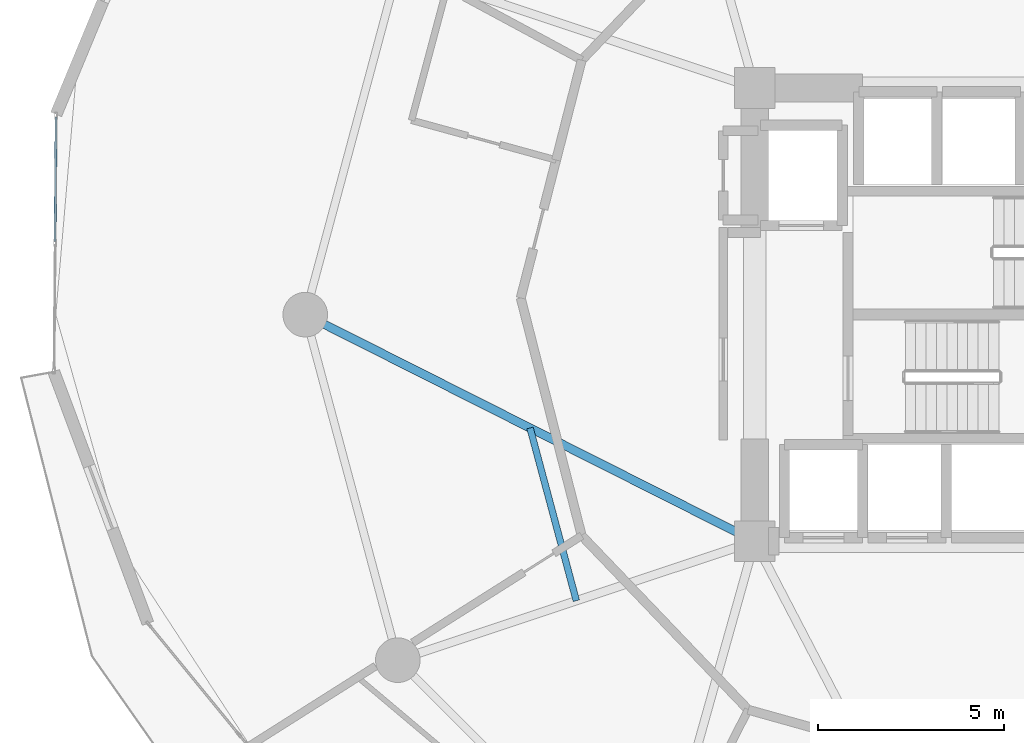
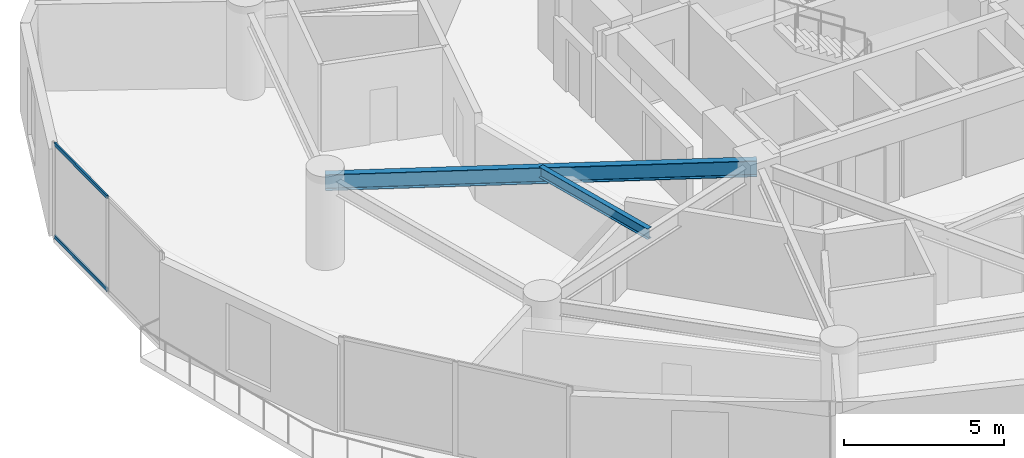
# One storey, part 5 of 20: 2 beams, 2 members, 1 element without a shape of its own.
"""IFC4 building model written with IfcOpenShell, lengths in metres."""

from ifc_helpers import new_model, si_unit, direction, frame, origin, origin_2d, place, context, subcontext, project, spatial, hollow_rectangle, i_section, extrude, source, transform, mapped, material, layer, layer_set, material_profile, profile_set, type_object, element, aggregate, save


model = new_model("IFC4")

# Units and contexts
model_context = context("Model", 3, precision=1e-05, world=origin(), true_north=direction((0.0, 1.0)))
body_context = subcontext(model_context, "Body", "Model", "MODEL_VIEW")
ifc_project = project(units=[si_unit("LENGTHUNIT", "METRE"), si_unit("AREAUNIT", "SQUARE_METRE"), si_unit("VOLUMEUNIT", "CUBIC_METRE"), si_unit("PLANEANGLEUNIT", "RADIAN"), si_unit("MASSUNIT", "GRAM", prefix="KILO")], contexts=[model_context])

# Site, building, storey
site_placement = place(None, origin())
site = spatial("IfcSite", under=ifc_project, at=site_placement, CompositionType="ELEMENT")
building_placement = place(site_placement, origin())
building = spatial("IfcBuilding", under=site, at=building_placement, Name="Solvirekh Grand Hotel", CompositionType="ELEMENT")
storey_placement = place(building_placement, frame((0.0, 0.0, 50.0)))
storey = spatial("IfcBuildingStorey", under=building, at=storey_placement, Name="L11", CompositionType="ELEMENT", Elevation=50.0)

# Beams
ifc_material_1 = material(Name="Steel S355", Category="steel")
ifc_material_profile_1 = material_profile(ifc_material_1, i_section(OverallWidth=0.22802734375, OverallDepth=0.616943359375, WebThickness=0.012939453125, FlangeThickness=0.02001953125, FilletRadius=0.014892578125, at=origin_2d()), Name="W610X140")
ifc_profile_set_1 = profile_set([ifc_material_profile_1], Name="Steel S355")
beam_type_1 = type_object("IfcBeamType", Name="Beam_Radial_W610", PredefinedType="BEAM", material=ifc_profile_set_1)
beam_1_placement = place(storey_placement, frame((-6.5, -6.10009765625, 3.031982421875), z_axis=(-0.892944939011, 0.450165898191, 0.0), x_axis=(-0.450165898191, -0.892944939011, 0.0)))
element("IfcBeam", 1, at=beam_1_placement, inside=storey, type_object=beam_type_1, Name="L11 radial floor beam R07", PredefinedType="BEAM", context=body_context, shape_type="SweptSolid", body=[
    extrude(i_section(OverallWidth=0.22802734375, OverallDepth=0.616943359375, WebThickness=0.012939453125, FlangeThickness=0.02001953125, FilletRadius=0.014892578125, at=origin_2d()), origin(), (0.0, 0.0, 1.0), 13.55078125),
])
ifc_material_profile_2 = material_profile(ifc_material_1, i_section(OverallWidth=0.177978515625, OverallDepth=0.406982421875, WebThickness=0.008056640625, FlangeThickness=0.011962890625, FilletRadius=0.011962890625, at=origin_2d()), Name="W410X60")
ifc_profile_set_2 = profile_set([ifc_material_profile_2], Name="Steel S355")
beam_type_2 = type_object("IfcBeamType", Name="Joist_Floor_W410", PredefinedType="JOIST", material=ifc_profile_set_2)
beam_2_placement = place(storey_placement, frame((-12.550048828125, -3.050048828125, 3.136962890625), z_axis=(0.258849313227, -0.965917715461, 0.0), x_axis=(0.965917715461, 0.258849313227, 0.0)))
element("IfcBeam", 2, at=beam_2_placement, inside=storey, type_object=beam_type_2, Name="L11 secondary composite floor joist 7", PredefinedType="JOIST", context=body_context, shape_type="SweptSolid", body=[
    extrude(i_section(OverallWidth=0.177978515625, OverallDepth=0.406982421875, WebThickness=0.008056640625, FlangeThickness=0.011962890625, FilletRadius=0.011962890625, at=origin_2d()), origin(), (0.0, 0.0, 1.0), 4.81396484375),
])

# Curtain wall, members
ifc_material_2 = material(Name="Anodized Bronze Aluminium 6063-T6", Category="aluminium")
ifc_layer = layer(ifc_material_2, 0.18994140625)
ifc_layer_set = layer_set([ifc_layer], Name="Anodized Bronze Aluminium 6063-T6")
curtain_wall_type = type_object("IfcCurtainWallType", Name="CW_Sys2_LowZoneFlushBronzeCW", PredefinedType="NOTDEFINED", material=ifc_layer_set)
curtain_wall_placement = place(storey_placement, origin())
curtain_wall = element("IfcCurtainWall", 3, at=curtain_wall_placement, inside=storey, type_object=curtain_wall_type, Name="L11 unitised bronze-glass curtain wall CW-L11-C11", PredefinedType="NOTDEFINED")
ifc_material_profile_3 = material_profile(ifc_material_2, hollow_rectangle(XDim=0.06005859375, YDim=0.135009765625, WallThickness=0.00390625, at=origin_2d()), Name="ALU RHS 135X60X4")
ifc_profile_set_3 = profile_set([ifc_material_profile_3], Name="Anodized Bronze Aluminium 6063-T6")
member_type = type_object("IfcMemberType", Name="CWTransom_Sys2", PredefinedType="USERDEFINED", material=ifc_profile_set_3)
shared_shape = source(origin(), body_context, "Body", "SweptSolid", [
    extrude(hollow_rectangle(XDim=0.06005859375, YDim=0.135009765625, WallThickness=0.00390625, at=origin_2d()), origin(), (0.0, 0.0, 1.0), 3.357666015625),
])
member_1_placement = place(storey_placement, frame((-25.306640625, 5.322021484375, 0.030029296875), z_axis=(-0.009089211499, -0.999958692264, 0.0), x_axis=(0.999958692264, -0.009089211499, 0.0)))
member_1 = element("IfcMember", 4, at=member_1_placement, type_object=member_type, Name="U02 transom 1.1", ObjectType="TRANSOM", PredefinedType="USERDEFINED", context=body_context, shape_type="MappedRepresentation", body=[
    mapped(shared_shape, transform((0.0, 0.0, 0.0), x_axis=(1.0, 0.0, 0.0), y_axis=(0.0, 1.0, 0.0), z_axis=(0.0, 0.0, 1.0), scale=1.0)),
])
member_2_placement = place(storey_placement, frame((-25.306640625, 5.322021484375, 3.570068359375), z_axis=(-0.009089211499, -0.999958692264, 0.0), x_axis=(0.999958692264, -0.009089211499, 0.0)))
member_2 = element("IfcMember", 5, at=member_2_placement, type_object=member_type, Name="U02 transom 1.2", ObjectType="TRANSOM", PredefinedType="USERDEFINED", context=body_context, shape_type="MappedRepresentation", body=[
    mapped(shared_shape, transform((0.0, 0.0, 0.0), x_axis=(1.0, 0.0, 0.0), y_axis=(0.0, 1.0, 0.0), z_axis=(0.0, 0.0, 1.0), scale=1.0)),
])
aggregate(curtain_wall, [member_1, member_2])

save(model, "model.ifc")
